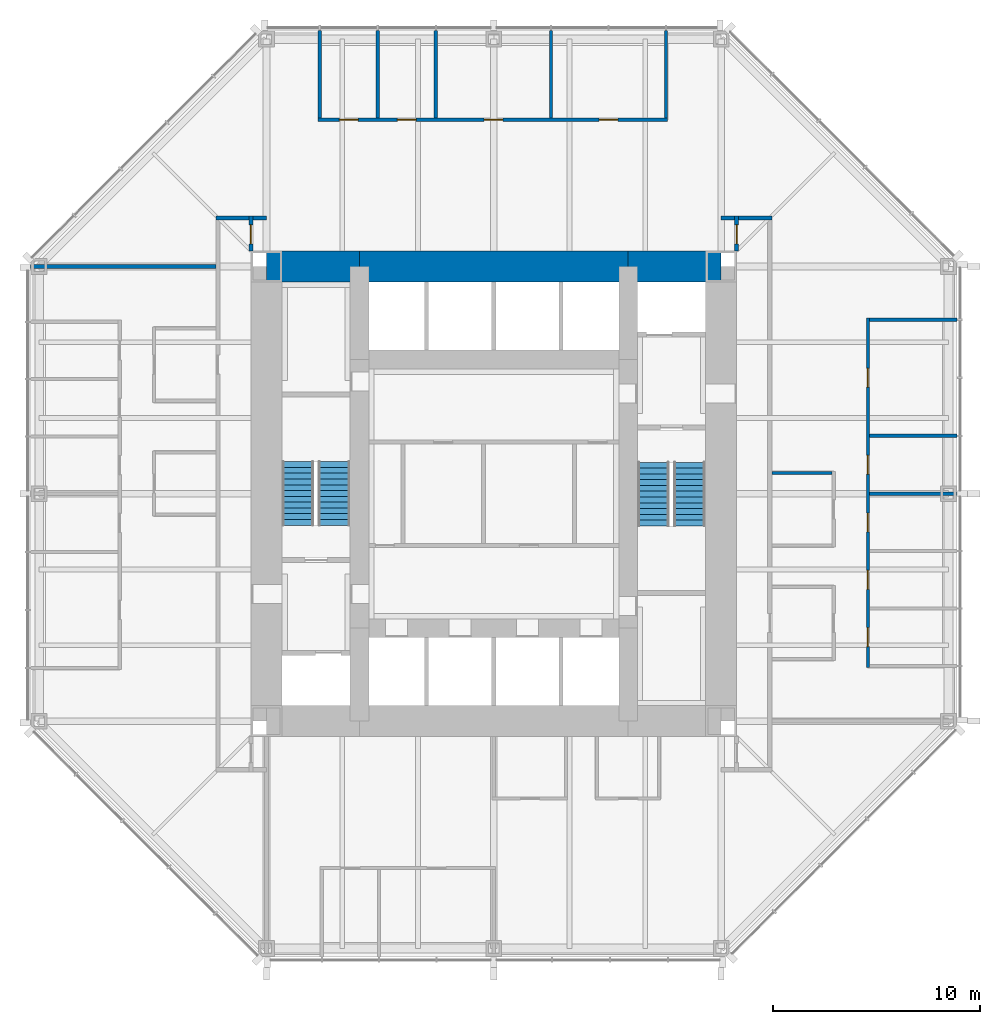
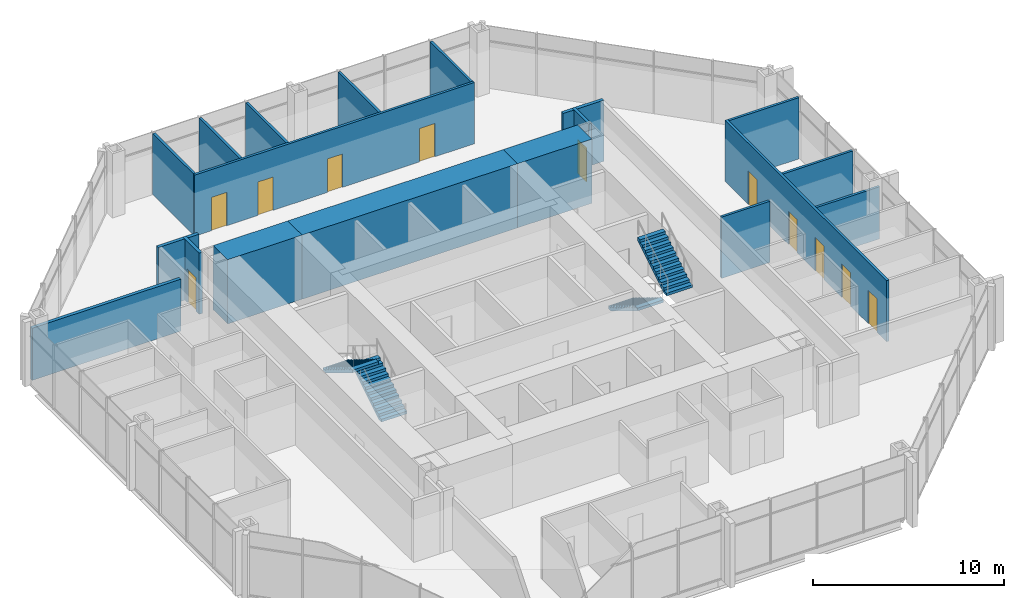
# One storey, part 11 of 12: 19 walls, 11 doors, 4 stair flights, 11 openings, 2 elements without a shape of their own.
"""IFC4 building model written with IfcOpenShell, lengths in metres."""

from ifc_helpers import new_model, si_unit, direction, frame, frame_2d, origin, place, context, subcontext, project, spatial, polyline, rectangle, outline, extrude, material, layer, layer_set, type_object, element, fill, aggregate, save


model = new_model("IFC4")

# Units and contexts
model_context = context("Model", 3, precision=1e-05, world=origin(), true_north=direction((0.0, 1.0)))
body_context = subcontext(model_context, "Body", "Model", "MODEL_VIEW")
ifc_project = project(units=[si_unit("LENGTHUNIT", "METRE"), si_unit("AREAUNIT", "SQUARE_METRE"), si_unit("VOLUMEUNIT", "CUBIC_METRE"), si_unit("PLANEANGLEUNIT", "RADIAN"), si_unit("MASSUNIT", "GRAM", prefix="KILO")], contexts=[model_context])

# Site, building, storey
site_placement = place(None, origin())
site = spatial("IfcSite", under=ifc_project, at=site_placement, CompositionType="ELEMENT")
building_placement = place(site_placement, origin())
building = spatial("IfcBuilding", under=site, at=building_placement, Name="Trevanion Tower", CompositionType="ELEMENT")
storey_placement = place(building_placement, frame((0.0, 0.0, 113.10009765625)))
storey = spatial("IfcBuildingStorey", under=building, at=storey_placement, Name="L26", CompositionType="ELEMENT", Elevation=113.10009765625)

# Walls
ifc_material_1 = material(Name="Concrete 10,000 psi", Category="concrete")
ifc_layer_1 = layer(ifc_material_1, 1.5)
ifc_layer_set_1 = layer_set([ifc_layer_1], Name="CW1 core wall 1500")
wall_type_1 = type_object("IfcWallType", Name="CW1 core wall 1500", PredefinedType="SHEAR", material=ifc_layer_set_1)
wall_1_placement = place(storey_placement, frame((11.0, 11.0, 0.0), z_axis=(0.0, 0.0, 1.0), x_axis=(-1.0, 0.0, 0.0)))
element("IfcWall", 1, at=wall_1_placement, inside=storey, type_object=wall_type_1, Name="CW1 CN1 L26", PredefinedType="SHEAR", context=body_context, shape_type="SweptSolid", body=[
    extrude(rectangle(XDim=4.5, YDim=1.5, at=frame_2d((2.25, 0.0))), origin(), (0.0, 0.0, 1.0), 4.099853515625),
])
wall_2_placement = place(storey_placement, frame((6.5, 11.0, 0.0), z_axis=(0.0, 0.0, 1.0), x_axis=(-1.0, 0.0, 0.0)))
element("IfcWall", 2, at=wall_2_placement, inside=storey, type_object=wall_type_1, Name="CW1 CN2 L26", PredefinedType="SHEAR", context=body_context, shape_type="SweptSolid", body=[
    extrude(rectangle(XDim=13.0, YDim=1.5, at=frame_2d((6.5, 0.0))), origin(), (0.0, 0.0, 1.0), 4.099853515625),
])
wall_3_placement = place(storey_placement, frame((-6.5, 11.0, 0.0), z_axis=(0.0, 0.0, 1.0), x_axis=(-1.0, 0.0, 0.0)))
element("IfcWall", 3, at=wall_3_placement, inside=storey, type_object=wall_type_1, Name="CW1 CN3 L26", PredefinedType="SHEAR", context=body_context, shape_type="SweptSolid", body=[
    extrude(rectangle(XDim=4.5, YDim=1.5, at=frame_2d((2.25, 0.0))), origin(), (0.0, 0.0, 1.0), 4.099853515625),
])

# Wall, openings, doors
ifc_material_2 = material(Name="Gypsum board on steel studs", Category="steel")
ifc_layer_2 = layer(ifc_material_2, 0.14990234375)
ifc_layer_set_2 = layer_set([ifc_layer_2], Name="PT1 partition 150")
wall_type_2 = type_object("IfcWallType", Name="PT1 partition 150", PredefinedType="PARTITIONING", material=ifc_layer_set_2)
wall_4_placement = place(storey_placement, frame((18.10009765625, -8.39794921875, 0.0), z_axis=(0.0, 0.0, 1.0), x_axis=(0.0, 1.0, 0.0)))
wall_4 = element("IfcWall", 4, at=wall_4_placement, inside=storey, type_object=wall_type_2, Name="PT1 L26 FC0F", PredefinedType="PARTITIONING", context=body_context, shape_type="SweptSolid", body=[
    extrude(rectangle(XDim=16.89404296875, YDim=0.14990234375, at=frame_2d((8.447021484375, 0.0))), origin(), (0.0, 0.0, 1.0), 3.909912109375),
])
opening_1_placement = place(wall_4_placement, frame((1.00439453125, 0.0, 0.0)))
opening_1 = element("IfcOpeningElement", 5, at=opening_1_placement, cuts=wall_4, Name="Opening 26-023", PredefinedType="OPENING", context=body_context, shape_type="SweptSolid", body=[
    extrude(rectangle(XDim=0.9150390625, YDim=2.134033203125, at=frame_2d((0.45751953125, 1.06689453125))), frame((0.0, 0.0849609375, 0.0), z_axis=(0.0, -1.0, 0.0), x_axis=(1.0, 0.0, 0.0)), (0.0, 0.0, 1.0), 0.169921875),
])
opening_2_placement = place(wall_4_placement, frame((3.778564453125, 0.0, 0.0)))
opening_2 = element("IfcOpeningElement", 6, at=opening_2_placement, cuts=wall_4, Name="Opening 26-024", PredefinedType="OPENING", context=body_context, shape_type="SweptSolid", body=[
    extrude(rectangle(XDim=0.9150390625, YDim=2.134033203125, at=frame_2d((0.45751953125, 1.06689453125))), frame((0.0, 0.0849609375, 0.0), z_axis=(0.0, -1.0, 0.0), x_axis=(1.0, 0.0, 0.0)), (0.0, 0.0, 1.0), 0.169921875),
])
opening_3_placement = place(wall_4_placement, frame((6.552978515625, 0.0, 0.0)))
opening_3 = element("IfcOpeningElement", 7, at=opening_3_placement, cuts=wall_4, Name="Opening 26-025", PredefinedType="OPENING", context=body_context, shape_type="SweptSolid", body=[
    extrude(rectangle(XDim=0.9150390625, YDim=2.134033203125, at=frame_2d((0.45751953125, 1.06689453125))), frame((0.0, 0.0849609375, 0.0), z_axis=(0.0, -1.0, 0.0), x_axis=(1.0, 0.0, 0.0)), (0.0, 0.0, 1.0), 0.169921875),
])
opening_4_placement = place(wall_4_placement, frame((9.343994140625, 0.0, 0.0)))
opening_4 = element("IfcOpeningElement", 8, at=opening_4_placement, cuts=wall_4, Name="Opening 26-026", PredefinedType="OPENING", context=body_context, shape_type="SweptSolid", body=[
    extrude(rectangle(XDim=0.9150390625, YDim=2.134033203125, at=frame_2d((0.45751953125, 1.06689453125))), frame((0.0, 0.0849609375, 0.0), z_axis=(0.0, -1.0, 0.0), x_axis=(1.0, 0.0, 0.0)), (0.0, 0.0, 1.0), 0.169921875),
])
opening_5_placement = place(wall_4_placement, frame((13.554443359375, 0.0, 0.0)))
opening_5 = element("IfcOpeningElement", 9, at=opening_5_placement, cuts=wall_4, Name="Opening 26-027", PredefinedType="OPENING", context=body_context, shape_type="SweptSolid", body=[
    extrude(rectangle(XDim=0.9150390625, YDim=2.134033203125, at=frame_2d((0.45751953125, 1.06689453125))), frame((0.0, 0.0849609375, 0.0), z_axis=(0.0, -1.0, 0.0), x_axis=(1.0, 0.0, 0.0)), (0.0, 0.0, 1.0), 0.169921875),
])
ifc_material_3 = material(Name="Timber veneer, solid core", Category="wood")
door_type_1 = type_object("IfcDoorType", Name="D1 office and meeting room door", OperationType="SINGLE_SWING_LEFT", PredefinedType="DOOR", material=ifc_material_3)
door_1_placement = place(opening_1_placement, origin())
door_1 = element("IfcDoor", 10, at=door_1_placement, inside=storey, type_object=door_type_1, Name="Door 26-023", OperationType="SINGLE_SWING_LEFT", OverallHeight=2.134033203125, OverallWidth=0.9150390625, PredefinedType="DOOR", context=body_context, shape_type="SweptSolid", body=[
    extrude(rectangle(XDim=0.9150390625, YDim=2.134033203125, at=frame_2d((0.45751953125, 1.06689453125))), frame((0.0, 0.02490234375, 0.0), z_axis=(0.0, -1.0, 0.0), x_axis=(1.0, 0.0, 0.0)), (0.0, 0.0, 1.0), 0.050048828125),
])
fill(opening_1, door_1)
door_2_placement = place(opening_2_placement, origin())
door_2 = element("IfcDoor", 11, at=door_2_placement, inside=storey, type_object=door_type_1, Name="Door 26-024", OperationType="SINGLE_SWING_LEFT", OverallHeight=2.134033203125, OverallWidth=0.9150390625, PredefinedType="DOOR", context=body_context, shape_type="SweptSolid", body=[
    extrude(rectangle(XDim=0.9150390625, YDim=2.134033203125, at=frame_2d((0.45751953125, 1.06689453125))), frame((0.0, 0.02490234375, 0.0), z_axis=(0.0, -1.0, 0.0), x_axis=(1.0, 0.0, 0.0)), (0.0, 0.0, 1.0), 0.050048828125),
])
fill(opening_2, door_2)
door_3_placement = place(opening_3_placement, origin())
door_3 = element("IfcDoor", 12, at=door_3_placement, inside=storey, type_object=door_type_1, Name="Door 26-025", OperationType="SINGLE_SWING_LEFT", OverallHeight=2.134033203125, OverallWidth=0.9150390625, PredefinedType="DOOR", context=body_context, shape_type="SweptSolid", body=[
    extrude(rectangle(XDim=0.9150390625, YDim=2.134033203125, at=frame_2d((0.45751953125, 1.06689453125))), frame((0.0, 0.02490234375, 0.0), z_axis=(0.0, -1.0, 0.0), x_axis=(1.0, 0.0, 0.0)), (0.0, 0.0, 1.0), 0.050048828125),
])
fill(opening_3, door_3)
door_4_placement = place(opening_4_placement, origin())
door_4 = element("IfcDoor", 13, at=door_4_placement, inside=storey, type_object=door_type_1, Name="Door 26-026", OperationType="SINGLE_SWING_LEFT", OverallHeight=2.134033203125, OverallWidth=0.9150390625, PredefinedType="DOOR", context=body_context, shape_type="SweptSolid", body=[
    extrude(rectangle(XDim=0.9150390625, YDim=2.134033203125, at=frame_2d((0.45751953125, 1.06689453125))), frame((0.0, 0.02490234375, 0.0), z_axis=(0.0, -1.0, 0.0), x_axis=(1.0, 0.0, 0.0)), (0.0, 0.0, 1.0), 0.050048828125),
])
fill(opening_4, door_4)
door_5_placement = place(opening_5_placement, origin())
door_5 = element("IfcDoor", 14, at=door_5_placement, inside=storey, type_object=door_type_1, Name="Door 26-027", OperationType="SINGLE_SWING_LEFT", OverallHeight=2.134033203125, OverallWidth=0.9150390625, PredefinedType="DOOR", context=body_context, shape_type="SweptSolid", body=[
    extrude(rectangle(XDim=0.9150390625, YDim=2.134033203125, at=frame_2d((0.45751953125, 1.06689453125))), frame((0.0, 0.02490234375, 0.0), z_axis=(0.0, -1.0, 0.0), x_axis=(1.0, 0.0, 0.0)), (0.0, 0.0, 1.0), 0.050048828125),
])
fill(opening_5, door_5)

# Walls
wall_5_placement = place(storey_placement, frame((18.175048828125, 0.0, 0.0), z_axis=(0.0, 0.0, 1.0), x_axis=(1.0, 0.0, 0.0)))
element("IfcWall", 15, at=wall_5_placement, inside=storey, type_object=wall_type_2, Name="PT1 L26 FC0S3", PredefinedType="PARTITIONING", context=body_context, shape_type="SweptSolid", body=[
    extrude(rectangle(XDim=4.239990234375, YDim=0.14990234375, at=frame_2d((2.1201171875, 0.0))), origin(), (0.0, 0.0, 1.0), 3.32568359375),
])
for number, where, z_axis, x_axis, name in (
    (16, (18.175048828125, 2.806884765625, 0.0), (0.0, 0.0, 1.0), (1.0, 0.0, 0.0), "PT1 L26 FC0S4"),
    (17, (18.175048828125, 8.4208984375, 0.0), (0.0, 0.0, 1.0), (1.0, 0.0, 0.0), "PT1 L26 FC0S6"),
):
    element("IfcWall", number, at=place(storey_placement, frame(where, z_axis=z_axis, x_axis=x_axis)), inside=storey, type_object=wall_type_2, Name=name, PredefinedType="PARTITIONING", context=body_context, shape_type="SweptSolid", body=[
        extrude(rectangle(XDim=4.239990234375, YDim=0.14990234375, at=frame_2d((2.1201171875, 0.0))), origin(), (0.0, 0.0, 1.0), 3.909912109375),
    ])

# Wall, openings, doors
wall_6_placement = place(storey_placement, frame((8.39794921875, 18.10009765625, 0.0), z_axis=(0.0, 0.0, 1.0), x_axis=(-1.0, 0.0, 0.0)))
wall_6 = element("IfcWall", 18, at=wall_6_placement, inside=storey, type_object=wall_type_2, Name="PT1 L26 FC1F", PredefinedType="PARTITIONING", context=body_context, shape_type="SweptSolid", body=[
    extrude(rectangle(XDim=16.89404296875, YDim=0.14990234375, at=frame_2d((8.447021484375, 0.0))), origin(), (0.0, 0.0, 1.0), 3.909912109375),
])
opening_6_placement = place(wall_6_placement, frame((2.3916015625, 0.0, 0.0)))
opening_6 = element("IfcOpeningElement", 19, at=opening_6_placement, cuts=wall_6, Name="Opening 26-028", PredefinedType="OPENING", context=body_context, shape_type="SweptSolid", body=[
    extrude(rectangle(XDim=0.9150390625, YDim=2.134033203125, at=frame_2d((0.45751953125, 1.06689453125))), frame((0.0, 0.0849609375, 0.0), z_axis=(0.0, -1.0, 0.0), x_axis=(1.0, 0.0, 0.0)), (0.0, 0.0, 1.0), 0.169921875),
])
opening_7_placement = place(wall_6_placement, frame((7.95654296875, 0.0, 0.0)))
opening_7 = element("IfcOpeningElement", 20, at=opening_7_placement, cuts=wall_6, Name="Opening 26-029", PredefinedType="OPENING", context=body_context, shape_type="SweptSolid", body=[
    extrude(rectangle(XDim=0.9150390625, YDim=2.134033203125, at=frame_2d((0.45751953125, 1.06689453125))), frame((0.0, 0.0849609375, 0.0), z_axis=(0.0, -1.0, 0.0), x_axis=(1.0, 0.0, 0.0)), (0.0, 0.0, 1.0), 0.169921875),
])
opening_8_placement = place(wall_6_placement, frame((12.15087890625, 0.0, 0.0)))
opening_8 = element("IfcOpeningElement", 21, at=opening_8_placement, cuts=wall_6, Name="Opening 26-030", PredefinedType="OPENING", context=body_context, shape_type="SweptSolid", body=[
    extrude(rectangle(XDim=0.9150390625, YDim=2.134033203125, at=frame_2d((0.45751953125, 1.06689453125))), frame((0.0, 0.0849609375, 0.0), z_axis=(0.0, -1.0, 0.0), x_axis=(1.0, 0.0, 0.0)), (0.0, 0.0, 1.0), 0.169921875),
])
opening_9_placement = place(wall_6_placement, frame((14.9580078125, 0.0, 0.0)))
opening_9 = element("IfcOpeningElement", 22, at=opening_9_placement, cuts=wall_6, Name="Opening 26-031", PredefinedType="OPENING", context=body_context, shape_type="SweptSolid", body=[
    extrude(rectangle(XDim=0.9150390625, YDim=2.134033203125, at=frame_2d((0.45751953125, 1.06689453125))), frame((0.0, 0.0849609375, 0.0), z_axis=(0.0, -1.0, 0.0), x_axis=(1.0, 0.0, 0.0)), (0.0, 0.0, 1.0), 0.169921875),
])
door_6_placement = place(opening_6_placement, origin())
door_6 = element("IfcDoor", 23, at=door_6_placement, inside=storey, type_object=door_type_1, Name="Door 26-028", OperationType="SINGLE_SWING_LEFT", OverallHeight=2.134033203125, OverallWidth=0.9150390625, PredefinedType="DOOR", context=body_context, shape_type="SweptSolid", body=[
    extrude(rectangle(XDim=0.9150390625, YDim=2.134033203125, at=frame_2d((0.45751953125, 1.06689453125))), frame((0.0, 0.02490234375, 0.0), z_axis=(0.0, -1.0, 0.0), x_axis=(1.0, 0.0, 0.0)), (0.0, 0.0, 1.0), 0.050048828125),
])
fill(opening_6, door_6)
door_7_placement = place(opening_7_placement, origin())
door_7 = element("IfcDoor", 24, at=door_7_placement, inside=storey, type_object=door_type_1, Name="Door 26-029", OperationType="SINGLE_SWING_LEFT", OverallHeight=2.134033203125, OverallWidth=0.9150390625, PredefinedType="DOOR", context=body_context, shape_type="SweptSolid", body=[
    extrude(rectangle(XDim=0.9150390625, YDim=2.134033203125, at=frame_2d((0.45751953125, 1.06689453125))), frame((0.0, 0.02490234375, 0.0), z_axis=(0.0, -1.0, 0.0), x_axis=(1.0, 0.0, 0.0)), (0.0, 0.0, 1.0), 0.050048828125),
])
fill(opening_7, door_7)
door_8_placement = place(opening_8_placement, origin())
door_8 = element("IfcDoor", 25, at=door_8_placement, inside=storey, type_object=door_type_1, Name="Door 26-030", OperationType="SINGLE_SWING_LEFT", OverallHeight=2.134033203125, OverallWidth=0.9150390625, PredefinedType="DOOR", context=body_context, shape_type="SweptSolid", body=[
    extrude(rectangle(XDim=0.9150390625, YDim=2.134033203125, at=frame_2d((0.45751953125, 1.06689453125))), frame((0.0, 0.02490234375, 0.0), z_axis=(0.0, -1.0, 0.0), x_axis=(1.0, 0.0, 0.0)), (0.0, 0.0, 1.0), 0.050048828125),
])
fill(opening_8, door_8)
door_9_placement = place(opening_9_placement, origin())
door_9 = element("IfcDoor", 26, at=door_9_placement, inside=storey, type_object=door_type_1, Name="Door 26-031", OperationType="SINGLE_SWING_LEFT", OverallHeight=2.134033203125, OverallWidth=0.9150390625, PredefinedType="DOOR", context=body_context, shape_type="SweptSolid", body=[
    extrude(rectangle(XDim=0.9150390625, YDim=2.134033203125, at=frame_2d((0.45751953125, 1.06689453125))), frame((0.0, 0.02490234375, 0.0), z_axis=(0.0, -1.0, 0.0), x_axis=(1.0, 0.0, 0.0)), (0.0, 0.0, 1.0), 0.050048828125),
])
fill(opening_9, door_9)

# Walls
for number, where, z_axis, x_axis, name in (
    (27, (8.322998046875, 18.175048828125, 0.0), (0.0, 0.0, 1.0), (0.0, 1.0, 0.0), "PT1 L26 FC1S0"),
    (28, (2.77490234375, 18.175048828125, 0.0), (0.0, 0.0, 1.0), (0.0, 1.0, 0.0), "PT1 L26 FC1S2"),
    (29, (-2.806884765625, 18.175048828125, 0.0), (0.0, 0.0, 1.0), (0.0, 1.0, 0.0), "PT1 L26 FC1S4"),
    (30, (-5.614013671875, 18.175048828125, 0.0), (0.0, 0.0, 1.0), (0.0, 1.0, 0.0), "PT1 L26 FC1S5"),
    (31, (-8.4208984375, 18.175048828125, 0.0), (0.0, 0.0, 1.0), (0.0, 1.0, 0.0), "PT1 L26 FC1S6"),
):
    element("IfcWall", number, at=place(storey_placement, frame(where, z_axis=z_axis, x_axis=x_axis)), inside=storey, type_object=wall_type_2, Name=name, PredefinedType="PARTITIONING", context=body_context, shape_type="SweptSolid", body=[
        extrude(rectangle(XDim=4.239990234375, YDim=0.14990234375, at=frame_2d((2.1201171875, 0.0))), origin(), (0.0, 0.0, 1.0), 3.909912109375),
    ])
wall_7_placement = place(storey_placement, frame((16.375, 1.0, 0.0), z_axis=(0.0, 0.0, 1.0), x_axis=(-1.0, 0.0, 0.0)))
element("IfcWall", 32, at=wall_7_placement, inside=storey, type_object=wall_type_2, Name="PT1 L26 IN01S1", PredefinedType="PARTITIONING", context=body_context, shape_type="SweptSolid", body=[
    extrude(rectangle(XDim=2.925048828125, YDim=0.14990234375, at=frame_2d((1.46240234375, 0.0))), origin(), (0.0, 0.0, 1.0), 3.909912109375),
])

# Wall, opening, door
ifc_material_4 = material(Name="Concrete masonry, grouted", Category="masonry")
ifc_layer_3 = layer(ifc_material_4, 0.199951171875)
ifc_layer_set_3 = layer_set([ifc_layer_3], Name="PT2 partition 200 1 HR")
wall_type_3 = type_object("IfcWallType", Name="PT2 partition 200 1 HR", PredefinedType="PARTITIONING", material=ifc_layer_set_3)
wall_8_placement = place(storey_placement, frame((11.75, 11.75, 0.0), z_axis=(0.0, 0.0, 1.0), x_axis=(0.0, 1.0, 0.0)))
wall_8 = element("IfcWall", 33, at=wall_8_placement, inside=storey, type_object=wall_type_3, Name="PT2 L26 OUNE1", PredefinedType="PARTITIONING", context=body_context, shape_type="SweptSolid", body=[
    extrude(rectangle(XDim=1.699951171875, YDim=0.199951171875, at=frame_2d((0.85009765625, 0.0))), origin(), (0.0, 0.0, 1.0), 3.909912109375),
])
opening_10_placement = place(wall_8_placement, frame((0.342529296875, 0.0, 0.0)))
opening_10 = element("IfcOpeningElement", 34, at=opening_10_placement, cuts=wall_8, Name="Opening 26-019", PredefinedType="OPENING", context=body_context, shape_type="SweptSolid", body=[
    extrude(rectangle(XDim=0.9150390625, YDim=2.134033203125, at=frame_2d((0.45751953125, 1.06689453125))), frame((0.0, 0.10986328125, 0.0), z_axis=(0.0, -1.0, 0.0), x_axis=(1.0, 0.0, 0.0)), (0.0, 0.0, 1.0), 0.219970703125),
])
ifc_material_5 = material(Name="Timber veneer, fire rated", Category="wood")
door_type_2 = type_object("IfcDoorType", Name="D10 office door in a one hour wall", OperationType="SINGLE_SWING_LEFT", PredefinedType="DOOR", material=ifc_material_5)
door_10_placement = place(opening_10_placement, origin())
door_10 = element("IfcDoor", 35, at=door_10_placement, inside=storey, type_object=door_type_2, Name="Door 26-019", OperationType="SINGLE_SWING_LEFT", OverallHeight=2.134033203125, OverallWidth=0.9150390625, PredefinedType="DOOR", context=body_context, shape_type="SweptSolid", body=[
    extrude(rectangle(XDim=0.9150390625, YDim=2.134033203125, at=frame_2d((0.45751953125, 1.06689453125))), frame((0.0, 0.02490234375, 0.0), z_axis=(0.0, -1.0, 0.0), x_axis=(1.0, 0.0, 0.0)), (0.0, 0.0, 1.0), 0.050048828125),
])
fill(opening_10, door_10)

# Wall
wall_9_placement = place(storey_placement, frame((11.0, 13.35009765625, 0.0), z_axis=(0.0, 0.0, 1.0), x_axis=(1.0, 0.0, 0.0)))
element("IfcWall", 36, at=wall_9_placement, inside=storey, type_object=wall_type_3, Name="PT2 L26 OUNE2", PredefinedType="PARTITIONING", context=body_context, shape_type="SweptSolid", body=[
    extrude(rectangle(XDim=2.449951171875, YDim=0.199951171875, at=frame_2d((1.22509765625, 0.0))), origin(), (0.0, 0.0, 1.0), 3.909912109375),
])

# Wall, opening, door
wall_10_placement = place(storey_placement, frame((-11.75, 11.75, 0.0), z_axis=(0.0, 0.0, 1.0), x_axis=(0.0, 1.0, 0.0)))
wall_10 = element("IfcWall", 37, at=wall_10_placement, inside=storey, type_object=wall_type_3, Name="PT2 L26 OUNW1", PredefinedType="PARTITIONING", context=body_context, shape_type="SweptSolid", body=[
    extrude(rectangle(XDim=1.699951171875, YDim=0.199951171875, at=frame_2d((0.85009765625, 0.0))), origin(), (0.0, 0.0, 1.0), 3.909912109375),
])
opening_11_placement = place(wall_10_placement, frame((0.342529296875, 0.0, 0.0)))
opening_11 = element("IfcOpeningElement", 38, at=opening_11_placement, cuts=wall_10, Name="Opening 26-020", PredefinedType="OPENING", context=body_context, shape_type="SweptSolid", body=[
    extrude(rectangle(XDim=0.9150390625, YDim=2.134033203125, at=frame_2d((0.45751953125, 1.06689453125))), frame((0.0, 0.10986328125, 0.0), z_axis=(0.0, -1.0, 0.0), x_axis=(1.0, 0.0, 0.0)), (0.0, 0.0, 1.0), 0.219970703125),
])
door_11_placement = place(opening_11_placement, origin())
door_11 = element("IfcDoor", 39, at=door_11_placement, inside=storey, type_object=door_type_2, Name="Door 26-020", OperationType="SINGLE_SWING_LEFT", OverallHeight=2.134033203125, OverallWidth=0.9150390625, PredefinedType="DOOR", context=body_context, shape_type="SweptSolid", body=[
    extrude(rectangle(XDim=0.9150390625, YDim=2.134033203125, at=frame_2d((0.45751953125, 1.06689453125))), frame((0.0, 0.02490234375, 0.0), z_axis=(0.0, -1.0, 0.0), x_axis=(1.0, 0.0, 0.0)), (0.0, 0.0, 1.0), 0.050048828125),
])
fill(opening_11, door_11)

# Walls
wall_11_placement = place(storey_placement, frame((-11.0, 13.35009765625, 0.0), z_axis=(0.0, 0.0, 1.0), x_axis=(-1.0, 0.0, 0.0)))
element("IfcWall", 40, at=wall_11_placement, inside=storey, type_object=wall_type_3, Name="PT2 L26 OUNW2", PredefinedType="PARTITIONING", context=body_context, shape_type="SweptSolid", body=[
    extrude(rectangle(XDim=2.449951171875, YDim=0.199951171875, at=frame_2d((1.22509765625, 0.0))), origin(), (0.0, 0.0, 1.0), 3.909912109375),
])
wall_12_placement = place(storey_placement, frame((-13.449951171875, 11.0, 0.0), z_axis=(0.0, 0.0, 1.0), x_axis=(-1.0, 0.0, 0.0)))
element("IfcWall", 41, at=wall_12_placement, inside=storey, type_object=wall_type_3, Name="PT2 L26 DM1", PredefinedType="PARTITIONING", context=body_context, shape_type="SweptSolid", body=[
    extrude(rectangle(XDim=8.965087890625, YDim=0.199951171875, at=frame_2d((4.482421875, 0.0))), origin(), (0.0, 0.0, 1.0), 3.32568359375),
])

# Stair, stair flights
ifc_material_6 = material(Name="Concrete 5,000 psi on steel stringers", Category="concrete")
stair_type = type_object("IfcStairType", Name="ST stair", PredefinedType="HALF_TURN_STAIR", material=ifc_material_6)
stair_1_placement = place(storey_placement, origin())
stair_1 = element("IfcStair", 42, at=stair_1_placement, inside=storey, type_object=stair_type, Name="ST1 L26", PredefinedType="HALF_TURN_STAIR")
ifc_material_7 = material(Name="Concrete 5,000 psi in steel pan", Category="concrete")
stair_flight_type = type_object("IfcStairFlightType", Name="STF stair flight", PredefinedType="STRAIGHT", material=ifc_material_7)
stair_flight_1_placement = place(storey_placement, frame((7.72509765625, 1.52490234375, 0.0), z_axis=(0.0, 0.0, 1.0), x_axis=(0.0, -1.0, 0.0)))
stair_flight_1 = element("IfcStairFlight", 43, at=stair_flight_1_placement, type_object=stair_flight_type, Name="ST1 flight 1", NumberOfRisers=12, NumberOfTreads=11, PredefinedType="STRAIGHT", RiserHeight=0.170833333, TreadLength=0.28, context=body_context, shape_type="SweptSolid", body=[
    extrude(outline(polyline([(0.0, 0.0), (0.0, 0.1708984375), (0.280029296875, 0.1708984375), (0.280029296875, 0.341552734375), (0.56005859375, 0.341552734375), (0.56005859375, 0.512451171875), (0.840087890625, 0.512451171875), (0.840087890625, 0.683349609375), (1.1201171875, 0.683349609375), (1.1201171875, 0.854248046875), (1.39990234375, 0.854248046875), (1.39990234375, 1.02490234375), (1.679931640625, 1.02490234375), (1.679931640625, 1.19580078125), (1.9599609375, 1.19580078125), (1.9599609375, 1.36669921875), (2.239990234375, 1.36669921875), (2.239990234375, 1.53759765625), (2.52001953125, 1.53759765625), (2.52001953125, 1.708251953125), (2.800048828125, 1.708251953125), (2.800048828125, 1.879150390625), (3.080078125, 1.879150390625), (3.080078125, 2.050048828125), (3.080078125, 1.70361328125), (0.287841796875, 0.0), (0.0, 0.0)])), frame((0.0, 0.77490234375, 0.0), z_axis=(0.0, -1.0, 0.0), x_axis=(1.0, 0.0, 0.0)), (0.0, 0.0, 1.0), 1.550048828125),
])
stair_flight_2_placement = place(storey_placement, frame((9.47509765625, -1.554931640625, 2.0498046875), z_axis=(0.0, 0.0, 1.0), x_axis=(0.0, 1.0, 0.0)))
stair_flight_2 = element("IfcStairFlight", 44, at=stair_flight_2_placement, type_object=stair_flight_type, Name="ST1 flight 2", NumberOfRisers=12, NumberOfTreads=11, PredefinedType="STRAIGHT", RiserHeight=0.170833333, TreadLength=0.28, context=body_context, shape_type="SweptSolid", body=[
    extrude(outline(polyline([(0.0, 0.0), (0.0, 0.1708984375), (0.280029296875, 0.1708984375), (0.280029296875, 0.341552734375), (0.56005859375, 0.341552734375), (0.56005859375, 0.512451171875), (0.840087890625, 0.512451171875), (0.840087890625, 0.683349609375), (1.1201171875, 0.683349609375), (1.1201171875, 0.854248046875), (1.39990234375, 0.854248046875), (1.39990234375, 1.02490234375), (1.679931640625, 1.02490234375), (1.679931640625, 1.19580078125), (1.9599609375, 1.19580078125), (1.9599609375, 1.36669921875), (2.239990234375, 1.36669921875), (2.239990234375, 1.53759765625), (2.52001953125, 1.53759765625), (2.52001953125, 1.708251953125), (2.800048828125, 1.708251953125), (2.800048828125, 1.879150390625), (3.080078125, 1.879150390625), (3.080078125, 2.050048828125), (3.080078125, 1.70361328125), (0.287841796875, 0.0), (0.0, 0.0)])), frame((0.0, 0.77490234375, 0.0), z_axis=(0.0, -1.0, 0.0), x_axis=(1.0, 0.0, 0.0)), (0.0, 0.0, 1.0), 1.550048828125),
])
aggregate(stair_1, [stair_flight_1, stair_flight_2])

stair_2_placement = place(storey_placement, origin())
stair_2 = element("IfcStair", 45, at=stair_2_placement, inside=storey, type_object=stair_type, Name="ST2 L26", PredefinedType="HALF_TURN_STAIR")
stair_flight_3_placement = place(storey_placement, frame((-7.72509765625, -1.52490234375, 0.0), z_axis=(0.0, 0.0, 1.0), x_axis=(0.0, 1.0, 0.0)))
stair_flight_3 = element("IfcStairFlight", 46, at=stair_flight_3_placement, type_object=stair_flight_type, Name="ST2 flight 1", NumberOfRisers=12, NumberOfTreads=11, PredefinedType="STRAIGHT", RiserHeight=0.170833333, TreadLength=0.28, context=body_context, shape_type="SweptSolid", body=[
    extrude(outline(polyline([(0.0, 0.0), (0.0, 0.1708984375), (0.280029296875, 0.1708984375), (0.280029296875, 0.341552734375), (0.56005859375, 0.341552734375), (0.56005859375, 0.512451171875), (0.840087890625, 0.512451171875), (0.840087890625, 0.683349609375), (1.1201171875, 0.683349609375), (1.1201171875, 0.854248046875), (1.39990234375, 0.854248046875), (1.39990234375, 1.02490234375), (1.679931640625, 1.02490234375), (1.679931640625, 1.19580078125), (1.9599609375, 1.19580078125), (1.9599609375, 1.36669921875), (2.239990234375, 1.36669921875), (2.239990234375, 1.53759765625), (2.52001953125, 1.53759765625), (2.52001953125, 1.708251953125), (2.800048828125, 1.708251953125), (2.800048828125, 1.879150390625), (3.080078125, 1.879150390625), (3.080078125, 2.050048828125), (3.080078125, 1.70361328125), (0.287841796875, 0.0), (0.0, 0.0)])), frame((0.0, 0.77490234375, 0.0), z_axis=(0.0, -1.0, 0.0), x_axis=(1.0, 0.0, 0.0)), (0.0, 0.0, 1.0), 1.550048828125),
])
stair_flight_4_placement = place(storey_placement, frame((-9.47509765625, 1.554931640625, 2.0498046875), z_axis=(0.0, 0.0, 1.0), x_axis=(0.0, -1.0, 0.0)))
stair_flight_4 = element("IfcStairFlight", 47, at=stair_flight_4_placement, type_object=stair_flight_type, Name="ST2 flight 2", NumberOfRisers=12, NumberOfTreads=11, PredefinedType="STRAIGHT", RiserHeight=0.170833333, TreadLength=0.28, context=body_context, shape_type="SweptSolid", body=[
    extrude(outline(polyline([(0.0, 0.0), (0.0, 0.1708984375), (0.280029296875, 0.1708984375), (0.280029296875, 0.341552734375), (0.56005859375, 0.341552734375), (0.56005859375, 0.512451171875), (0.840087890625, 0.512451171875), (0.840087890625, 0.683349609375), (1.1201171875, 0.683349609375), (1.1201171875, 0.854248046875), (1.39990234375, 0.854248046875), (1.39990234375, 1.02490234375), (1.679931640625, 1.02490234375), (1.679931640625, 1.19580078125), (1.9599609375, 1.19580078125), (1.9599609375, 1.36669921875), (2.239990234375, 1.36669921875), (2.239990234375, 1.53759765625), (2.52001953125, 1.53759765625), (2.52001953125, 1.708251953125), (2.800048828125, 1.708251953125), (2.800048828125, 1.879150390625), (3.080078125, 1.879150390625), (3.080078125, 2.050048828125), (3.080078125, 1.70361328125), (0.287841796875, 0.0), (0.0, 0.0)])), frame((0.0, 0.77490234375, 0.0), z_axis=(0.0, -1.0, 0.0), x_axis=(1.0, 0.0, 0.0)), (0.0, 0.0, 1.0), 1.550048828125),
])
aggregate(stair_2, [stair_flight_3, stair_flight_4])

save(model, "model.ifc")
